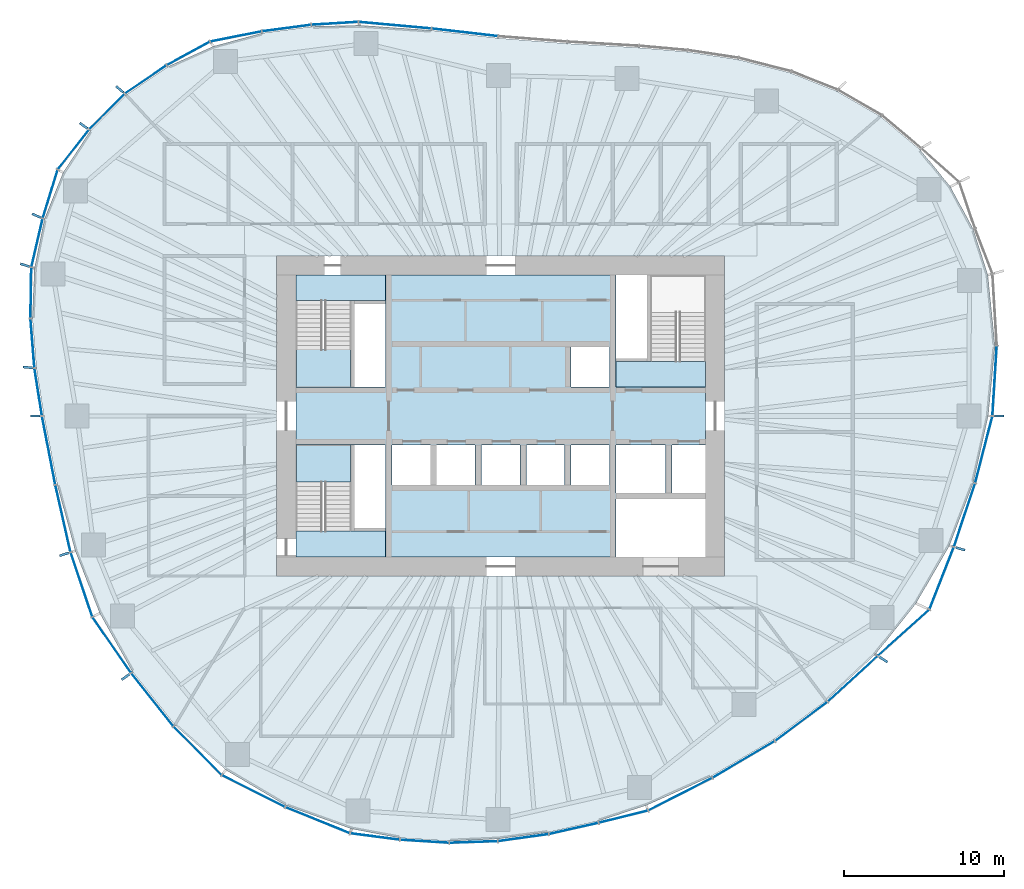
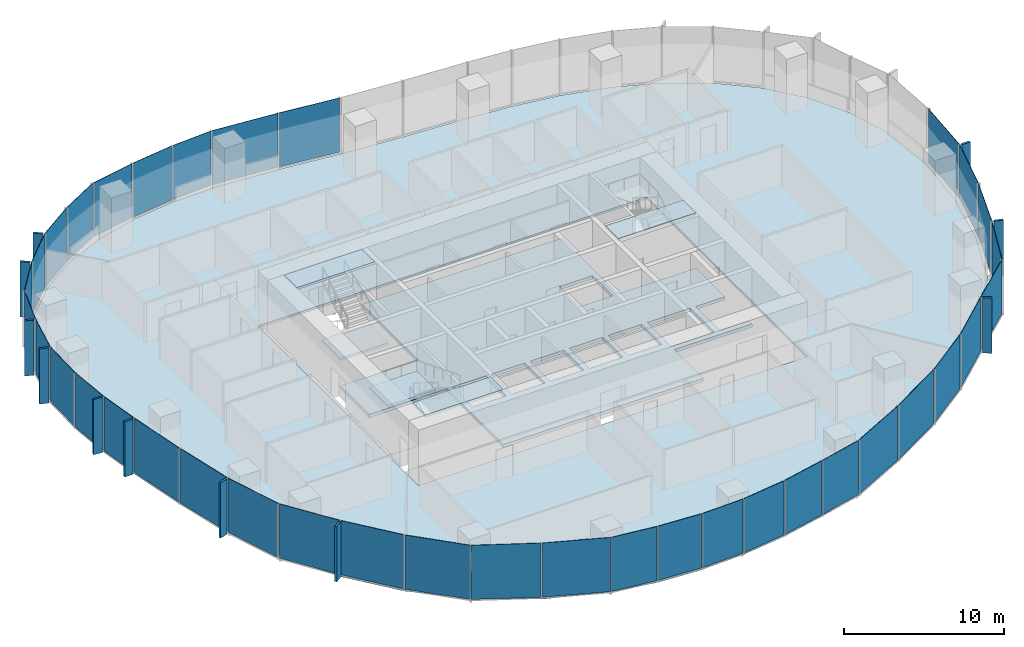
# One storey, part 7 of 18: 48 plates, 7 slabs, 19 elements without a shape of their own.
"""IFC4 building model written with IfcOpenShell, lengths in metres."""

from ifc_helpers import new_model, si_unit, direction, frame, origin, origin_2d, place, context, subcontext, project, spatial, polyline, rectangle, outline, extrude, material, layer, layer_set, type_object, element, aggregate, save


model = new_model("IFC4")

# Units and contexts
model_context = context("Model", 3, precision=1e-05, world=origin(), true_north=direction((0.0, 1.0)))
body_context = subcontext(model_context, "Body", "Model", "MODEL_VIEW")
ifc_project = project(units=[si_unit("LENGTHUNIT", "METRE"), si_unit("AREAUNIT", "SQUARE_METRE"), si_unit("VOLUMEUNIT", "CUBIC_METRE"), si_unit("PLANEANGLEUNIT", "RADIAN"), si_unit("MASSUNIT", "GRAM", prefix="KILO")], contexts=[model_context])

# Site, building, storey
site_placement = place(None, origin())
site = spatial("IfcSite", under=ifc_project, at=site_placement, CompositionType="ELEMENT")
building_placement = place(site_placement, origin())
building = spatial("IfcBuilding", under=site, at=building_placement, Name="Ghaith Harvest Tower", CompositionType="ELEMENT")
storey_placement = place(building_placement, frame((0.0, 0.0, 134.39990234375)))
storey = spatial("IfcBuildingStorey", under=building, at=storey_placement, Name="L28", CompositionType="ELEMENT", Elevation=134.39990234375)

# Curtain wall, plate
ifc_material_1 = material(Name="Black anodised aluminium and fritted glass", Category="aluminium")
curtain_wall_type = type_object("IfcCurtainWallType", Name="CW-L CURTAIN WALL", PredefinedType="NOTDEFINED", material=ifc_material_1)
curtain_wall_1_placement = place(storey_placement, origin())
curtain_wall_1 = element("IfcCurtainWall", 1, at=curtain_wall_1_placement, inside=storey, type_object=curtain_wall_type, Name="Curtain wall CW-L bay 01 L28", PredefinedType="NOTDEFINED")
ifc_material_2 = material(Name="Glass, dark solar-control fritted double glazed unit", Category="glass")
ifc_layer_1 = layer(ifc_material_2, 0.031982421875)
ifc_layer_set_1 = layer_set([ifc_layer_1], Name="CW-L VISION PANEL")
plate_type_1 = type_object("IfcPlateType", Name="CW-L VISION PANEL", PredefinedType="CURTAIN_PANEL", material=ifc_layer_set_1)
plate_1_placement = place(storey_placement, frame((30.86376953125, 2.19482421875, 0.080078125), z_axis=(0.0, 0.0, 1.0), x_axis=(0.061379619468, 0.99811449359, 0.0)))
plate_1 = element("IfcPlate", 2, at=plate_1_placement, type_object=plate_type_1, Name="CW-L glass unit 1 bay 01 L28", PredefinedType="CURTAIN_PANEL", context=body_context, shape_type="SweptSolid", body=[
    extrude(rectangle(XDim=4.318115234375, YDim=0.031982421875, at=origin_2d()), origin(), (0.0, 0.0, 1.0), 4.1201171875),
])
aggregate(curtain_wall_1, [plate_1])

# Curtain wall, plates
curtain_wall_2_placement = place(storey_placement, origin())
curtain_wall_2 = element("IfcCurtainWall", 3, at=curtain_wall_2_placement, inside=storey, type_object=curtain_wall_type, Name="Curtain wall CW-L bay 06 L28", PredefinedType="NOTDEFINED")
plate_2_placement = place(storey_placement, frame((-2.24267578125, 23.968505859375, 0.080078125), z_axis=(0.0, 0.0, 1.0), x_axis=(-0.993477024646, 0.114032458099, 0.0)))
plate_2 = element("IfcPlate", 4, at=plate_2_placement, type_object=plate_type_1, Name="CW-L glass unit 1 bay 06 L28", PredefinedType="CURTAIN_PANEL", context=body_context, shape_type="SweptSolid", body=[
    extrude(rectangle(XDim=4.10791015625, YDim=0.031982421875, at=origin_2d()), origin(), (0.0, 0.0, 1.0), 4.1201171875),
])
plate_3_placement = place(storey_placement, frame((-6.607666015625, 24.4140625, 0.080078125), z_axis=(0.0, 0.0, 1.0), x_axis=(-0.995928776302, 0.090143621701, 0.0)))
plate_3 = element("IfcPlate", 5, at=plate_3_placement, type_object=plate_type_1, Name="CW-L glass unit 2 bay 06 L28", PredefinedType="CURTAIN_PANEL", context=body_context, shape_type="SweptSolid", body=[
    extrude(rectangle(XDim=4.508056640625, YDim=0.031982421875, at=origin_2d()), origin(), (0.0, 0.0, 1.0), 4.1201171875),
])
aggregate(curtain_wall_2, [plate_2, plate_3])

curtain_wall_3_placement = place(storey_placement, origin())
curtain_wall_3 = element("IfcCurtainWall", 6, at=curtain_wall_3_placement, inside=storey, type_object=curtain_wall_type, Name="Curtain wall CW-L bay 07 L28", PredefinedType="NOTDEFINED")
plate_4_placement = place(storey_placement, frame((-10.36669921875, 24.5302734375, 0.080078125), z_axis=(0.0, 0.0, 1.0), x_axis=(-0.998119199641, -0.061303044853, 0.0)))
plate_4 = element("IfcPlate", 7, at=plate_4_placement, type_object=plate_type_1, Name="CW-L glass unit 1 bay 07 L28", PredefinedType="CURTAIN_PANEL", context=body_context, shape_type="SweptSolid", body=[
    extrude(rectangle(XDim=2.874267578125, YDim=0.031982421875, at=origin_2d()), origin(), (0.0, 0.0, 1.0), 4.1201171875),
])
plate_5_placement = place(storey_placement, frame((-13.382568359375, 24.23486328125, 0.080078125), z_axis=(0.0, 0.0, 1.0), x_axis=(-0.991285895369, -0.131728029071, 0.0)))
plate_5 = element("IfcPlate", 8, at=plate_5_placement, type_object=plate_type_1, Name="CW-L glass unit 2 bay 07 L28", PredefinedType="CURTAIN_PANEL", context=body_context, shape_type="SweptSolid", body=[
    extrude(rectangle(XDim=3.02978515625, YDim=0.031982421875, at=origin_2d()), origin(), (0.0, 0.0, 1.0), 4.1201171875),
])
plate_6_placement = place(storey_placement, frame((-16.54443359375, 23.7099609375, 0.080078125), z_axis=(0.0, 0.0, 1.0), x_axis=(-0.981037550101, -0.193817763096, 0.0)))
plate_6 = element("IfcPlate", 9, at=plate_6_placement, type_object=plate_type_1, Name="CW-L glass unit 3 bay 07 L28", PredefinedType="CURTAIN_PANEL", context=body_context, shape_type="SweptSolid", body=[
    extrude(rectangle(XDim=3.22412109375, YDim=0.031982421875, at=origin_2d()), origin(), (0.0, 0.0, 1.0), 4.1201171875),
])
aggregate(curtain_wall_3, [plate_4, plate_5, plate_6])

curtain_wall_4_placement = place(storey_placement, origin())
curtain_wall_4 = element("IfcCurtainWall", 10, at=curtain_wall_4_placement, inside=storey, type_object=curtain_wall_type, Name="Curtain wall CW-L bay 08 L28", PredefinedType="NOTDEFINED")
plate_7_placement = place(storey_placement, frame((-19.520263671875, 22.650634765625, 0.080078125), z_axis=(0.0, 0.0, 1.0), x_axis=(-0.877940384665, -0.478769966659, 0.0)))
plate_7 = element("IfcPlate", 11, at=plate_7_placement, type_object=plate_type_1, Name="CW-L glass unit 1 bay 08 L28", PredefinedType="CURTAIN_PANEL", context=body_context, shape_type="SweptSolid", body=[
    extrude(rectangle(XDim=3.007080078125, YDim=0.031982421875, at=origin_2d()), origin(), (0.0, 0.0, 1.0), 4.1201171875),
])
plate_8_placement = place(storey_placement, frame((-22.182373046875, 21.025390625, 0.080078125), z_axis=(0.0, 0.0, 1.0), x_axis=(-0.827674847773, -0.561207935051, 0.0)))
plate_8 = element("IfcPlate", 12, at=plate_8_placement, type_object=plate_type_1, Name="CW-L glass unit 2 bay 08 L28", PredefinedType="CURTAIN_PANEL", context=body_context, shape_type="SweptSolid", body=[
    extrude(rectangle(XDim=3.078369140625, YDim=0.031982421875, at=origin_2d()), origin(), (0.0, 0.0, 1.0), 4.1201171875),
])
plate_9_placement = place(storey_placement, frame((-24.603759765625, 19.01708984375, 0.080078125), z_axis=(0.0, 0.0, 1.0), x_axis=(-0.704613943896, -0.709590861037, 0.0)))
plate_9 = element("IfcPlate", 13, at=plate_9_placement, type_object=plate_type_1, Name="CW-L glass unit 3 bay 08 L28", PredefinedType="CURTAIN_PANEL", context=body_context, shape_type="SweptSolid", body=[
    extrude(rectangle(XDim=3.0830078125, YDim=0.031982421875, at=origin_2d()), origin(), (0.0, 0.0, 1.0), 4.1201171875),
])
aggregate(curtain_wall_4, [plate_7, plate_8, plate_9])

curtain_wall_5_placement = place(storey_placement, origin())
curtain_wall_5 = element("IfcCurtainWall", 14, at=curtain_wall_5_placement, inside=storey, type_object=curtain_wall_type, Name="Curtain wall CW-L bay 09 L28", PredefinedType="NOTDEFINED")
plate_10_placement = place(storey_placement, frame((-26.69873046875, 16.644775390625, 0.080078125), z_axis=(0.0, 0.0, 1.0), x_axis=(-0.617140806324, -0.786852734106, 0.0)))
plate_10 = element("IfcPlate", 15, at=plate_10_placement, type_object=plate_type_1, Name="CW-L glass unit 1 bay 09 L28", PredefinedType="CURTAIN_PANEL", context=body_context, shape_type="SweptSolid", body=[
    extrude(rectangle(XDim=3.09765625, YDim=0.031982421875, at=origin_2d()), origin(), (0.0, 0.0, 1.0), 4.1201171875),
])
plate_11_placement = place(storey_placement, frame((-28.14794921875, 13.869140625, 0.080078125), z_axis=(0.0, 0.0, 1.0), x_axis=(-0.293802674087, -0.955866093498, 0.0)))
plate_11 = element("IfcPlate", 16, at=plate_11_placement, type_object=plate_type_1, Name="CW-L glass unit 2 bay 09 L28", PredefinedType="CURTAIN_PANEL", context=body_context, shape_type="SweptSolid", body=[
    extrude(rectangle(XDim=3.111328125, YDim=0.031982421875, at=origin_2d()), origin(), (0.0, 0.0, 1.0), 4.1201171875),
])
plate_12_placement = place(storey_placement, frame((-28.9716796875, 10.819091796875, 0.080078125), z_axis=(0.0, 0.0, 1.0), x_axis=(-0.226698962458, -0.973964876379, 0.0)))
plate_12 = element("IfcPlate", 17, at=plate_12_placement, type_object=plate_type_1, Name="CW-L glass unit 3 bay 09 L28", PredefinedType="CURTAIN_PANEL", context=body_context, shape_type="SweptSolid", body=[
    extrude(rectangle(XDim=3.05126953125, YDim=0.031982421875, at=origin_2d()), origin(), (0.0, 0.0, 1.0), 4.1201171875),
])
aggregate(curtain_wall_5, [plate_10, plate_11, plate_12])

curtain_wall_6_placement = place(storey_placement, origin())
curtain_wall_6 = element("IfcCurtainWall", 18, at=curtain_wall_6_placement, inside=storey, type_object=curtain_wall_type, Name="Curtain wall CW-L bay 10 L28", PredefinedType="NOTDEFINED")
plate_13_placement = place(storey_placement, frame((-29.352294921875, 7.695068359375, 0.080078125), z_axis=(0.0, 0.0, 1.0), x_axis=(-0.016034106433, -0.999871445452, 0.0)))
plate_13 = element("IfcPlate", 19, at=plate_13_placement, type_object=plate_type_1, Name="CW-L glass unit 1 bay 10 L28", PredefinedType="CURTAIN_PANEL", context=body_context, shape_type="SweptSolid", body=[
    extrude(rectangle(XDim=3.118408203125, YDim=0.031982421875, at=origin_2d()), origin(), (0.0, 0.0, 1.0), 4.1201171875),
])
plate_14_placement = place(storey_placement, frame((-29.25439453125, 4.54345703125, 0.080078125), z_axis=(0.0, 0.0, 1.0), x_axis=(0.079273335663, -0.996852917061, 0.0)))
plate_14 = element("IfcPlate", 20, at=plate_14_placement, type_object=plate_type_1, Name="CW-L glass unit 2 bay 10 L28", PredefinedType="CURTAIN_PANEL", context=body_context, shape_type="SweptSolid", body=[
    extrude(rectangle(XDim=3.035400390625, YDim=0.031982421875, at=origin_2d()), origin(), (0.0, 0.0, 1.0), 4.1201171875),
])
plate_15_placement = place(storey_placement, frame((-28.896240234375, 1.495361328125, 0.080078125), z_axis=(0.0, 0.0, 1.0), x_axis=(0.155172175389, -0.987887440949, 0.0)))
plate_15 = element("IfcPlate", 21, at=plate_15_placement, type_object=plate_type_1, Name="CW-L glass unit 3 bay 10 L28", PredefinedType="CURTAIN_PANEL", context=body_context, shape_type="SweptSolid", body=[
    extrude(rectangle(XDim=2.947265625, YDim=0.031982421875, at=origin_2d()), origin(), (0.0, 0.0, 1.0), 4.1201171875),
])
aggregate(curtain_wall_6, [plate_13, plate_14, plate_15])

curtain_wall_7_placement = place(storey_placement, origin())
curtain_wall_7 = element("IfcCurtainWall", 22, at=curtain_wall_7_placement, inside=storey, type_object=curtain_wall_type, Name="Curtain wall CW-L bay 11 L28", PredefinedType="NOTDEFINED")
plate_16_placement = place(storey_placement, frame((-28.24462890625, -2.152099609375, 0.080078125), z_axis=(0.0, 0.0, 1.0), x_axis=(0.190044913274, -0.981775397399, 0.0)))
plate_16 = element("IfcPlate", 23, at=plate_16_placement, type_object=plate_type_1, Name="CW-L glass unit 1 bay 11 L28", PredefinedType="CURTAIN_PANEL", context=body_context, shape_type="SweptSolid", body=[
    extrude(rectangle(XDim=4.303955078125, YDim=0.031982421875, at=origin_2d()), origin(), (0.0, 0.0, 1.0), 4.1201171875),
])
plate_17_placement = place(storey_placement, frame((-27.351806640625, -6.41064453125, 0.080078125), z_axis=(0.0, 0.0, 1.0), x_axis=(0.220483469245, -0.975390711351, 0.0)))
plate_17 = element("IfcPlate", 24, at=plate_17_placement, type_object=plate_type_1, Name="CW-L glass unit 2 bay 11 L28", PredefinedType="CURTAIN_PANEL", context=body_context, shape_type="SweptSolid", body=[
    extrude(rectangle(XDim=4.239501953125, YDim=0.031982421875, at=origin_2d()), origin(), (0.0, 0.0, 1.0), 4.1201171875),
])
aggregate(curtain_wall_7, [plate_16, plate_17])

curtain_wall_8_placement = place(storey_placement, origin())
curtain_wall_8 = element("IfcCurtainWall", 25, at=curtain_wall_8_placement, inside=storey, type_object=curtain_wall_type, Name="Curtain wall CW-L bay 12 L28", PredefinedType="NOTDEFINED")
plate_18_placement = place(storey_placement, frame((-26.194580078125, -10.537841796875, 0.080078125), z_axis=(0.0, 0.0, 1.0), x_axis=(0.319477383729, -0.947593901039, 0.0)))
plate_18 = element("IfcPlate", 26, at=plate_18_placement, type_object=plate_type_1, Name="CW-L glass unit 1 bay 12 L28", PredefinedType="CURTAIN_PANEL", context=body_context, shape_type="SweptSolid", body=[
    extrude(rectangle(XDim=4.184326171875, YDim=0.031982421875, at=origin_2d()), origin(), (0.0, 0.0, 1.0), 4.1201171875),
])
plate_19_placement = place(storey_placement, frame((-24.3017578125, -14.312255859375, 0.080078125), z_axis=(0.0, 0.0, 1.0), x_axis=(0.568347699633, -0.822788485774, 0.0)))
plate_19 = element("IfcPlate", 27, at=plate_19_placement, type_object=plate_type_1, Name="CW-L glass unit 2 bay 12 L28", PredefinedType="CURTAIN_PANEL", context=body_context, shape_type="SweptSolid", body=[
    extrude(rectangle(XDim=4.18359375, YDim=0.031982421875, at=origin_2d()), origin(), (0.0, 0.0, 1.0), 4.1201171875),
])
aggregate(curtain_wall_8, [plate_18, plate_19])

curtain_wall_9_placement = place(storey_placement, origin())
curtain_wall_9 = element("IfcCurtainWall", 28, at=curtain_wall_9_placement, inside=storey, type_object=curtain_wall_type, Name="Curtain wall CW-L bay 13 L28", PredefinedType="NOTDEFINED")
plate_20_placement = place(storey_placement, frame((-21.765625, -17.7314453125, 0.080078125), z_axis=(0.0, 0.0, 1.0), x_axis=(0.622507360482, -0.782613944513, 0.0)))
plate_20 = element("IfcPlate", 29, at=plate_20_placement, type_object=plate_type_1, Name="CW-L glass unit 1 bay 13 L28", PredefinedType="CURTAIN_PANEL", context=body_context, shape_type="SweptSolid", body=[
    extrude(rectangle(XDim=4.175537109375, YDim=0.031982421875, at=origin_2d()), origin(), (0.0, 0.0, 1.0), 4.1201171875),
])
plate_21_placement = place(storey_placement, frame((-18.935791015625, -20.920166015625, 0.080078125), z_axis=(0.0, 0.0, 1.0), x_axis=(0.702843151286, -0.711344856375, 0.0)))
plate_21 = element("IfcPlate", 30, at=plate_21_placement, type_object=plate_type_1, Name="CW-L glass unit 2 bay 13 L28", PredefinedType="CURTAIN_PANEL", context=body_context, shape_type="SweptSolid", body=[
    extrude(rectangle(XDim=4.203369140625, YDim=0.031982421875, at=origin_2d()), origin(), (0.0, 0.0, 1.0), 4.1201171875),
])
aggregate(curtain_wall_9, [plate_20, plate_21])

curtain_wall_10_placement = place(storey_placement, origin())
curtain_wall_10 = element("IfcCurtainWall", 31, at=curtain_wall_10_placement, inside=storey, type_object=curtain_wall_type, Name="Curtain wall CW-L bay 14 L28", PredefinedType="NOTDEFINED")
plate_22_placement = place(storey_placement, frame((-15.44677734375, -23.443115234375, 0.080078125), z_axis=(0.0, 0.0, 1.0), x_axis=(0.893062297869, -0.449933030712, 0.0)))
plate_22 = element("IfcPlate", 32, at=plate_22_placement, type_object=plate_type_1, Name="CW-L glass unit 1 bay 14 L28", PredefinedType="CURTAIN_PANEL", context=body_context, shape_type="SweptSolid", body=[
    extrude(rectangle(XDim=4.362548828125, YDim=0.031982421875, at=origin_2d()), origin(), (0.0, 0.0, 1.0), 4.1201171875),
])
plate_23_placement = place(storey_placement, frame((-11.441162109375, -25.260498046875, 0.080078125), z_axis=(0.0, 0.0, 1.0), x_axis=(0.927002522537, -0.375055093567, 0.0)))
plate_23 = element("IfcPlate", 33, at=plate_23_placement, type_object=plate_type_1, Name="CW-L glass unit 2 bay 14 L28", PredefinedType="CURTAIN_PANEL", context=body_context, shape_type="SweptSolid", body=[
    extrude(rectangle(XDim=4.282470703125, YDim=0.031982421875, at=origin_2d()), origin(), (0.0, 0.0, 1.0), 4.1201171875),
])
aggregate(curtain_wall_10, [plate_22, plate_23])

curtain_wall_11_placement = place(storey_placement, origin())
curtain_wall_11 = element("IfcCurtainWall", 34, at=curtain_wall_11_placement, inside=storey, type_object=curtain_wall_type, Name="Curtain wall CW-L bay 15 L28", PredefinedType="NOTDEFINED")
plate_24_placement = place(storey_placement, frame((-7.856689453125, -26.281005859375, 0.080078125), z_axis=(0.0, 0.0, 1.0), x_axis=(0.99172348392, -0.128392100386, 0.0)))
plate_24 = element("IfcPlate", 35, at=plate_24_placement, type_object=plate_type_1, Name="CW-L glass unit 1 bay 15 L28", PredefinedType="CURTAIN_PANEL", context=body_context, shape_type="SweptSolid", body=[
    extrude(rectangle(XDim=3.07080078125, YDim=0.031982421875, at=origin_2d()), origin(), (0.0, 0.0, 1.0), 4.1201171875),
])
plate_25_placement = place(storey_placement, frame((-4.7568359375, -26.57958984375, 0.080078125), z_axis=(0.0, 0.0, 1.0), x_axis=(0.998038280843, -0.062606628824, 0.0)))
plate_25 = element("IfcPlate", 36, at=plate_25_placement, type_object=plate_type_1, Name="CW-L glass unit 2 bay 15 L28", PredefinedType="CURTAIN_PANEL", context=body_context, shape_type="SweptSolid", body=[
    extrude(rectangle(XDim=3.001220703125, YDim=0.031982421875, at=origin_2d()), origin(), (0.0, 0.0, 1.0), 4.1201171875),
])
plate_26_placement = place(storey_placement, frame((-1.700439453125, -26.624755859375, 0.080078125), z_axis=(0.0, 0.0, 1.0), x_axis=(0.999431515426, 0.033714180603, 0.0)))
plate_26 = element("IfcPlate", 37, at=plate_26_placement, type_object=plate_type_1, Name="CW-L glass unit 3 bay 15 L28", PredefinedType="CURTAIN_PANEL", context=body_context, shape_type="SweptSolid", body=[
    extrude(rectangle(XDim=2.958984375, YDim=0.031982421875, at=origin_2d()), origin(), (0.0, 0.0, 1.0), 4.1201171875),
])
aggregate(curtain_wall_11, [plate_24, plate_25, plate_26])

curtain_wall_12_placement = place(storey_placement, origin())
curtain_wall_12 = element("IfcCurtainWall", 38, at=curtain_wall_12_placement, inside=storey, type_object=curtain_wall_type, Name="Curtain wall CW-L bay 16 L28", PredefinedType="NOTDEFINED")
plate_27_placement = place(storey_placement, frame((1.4140625, -26.3515625, 0.080078125), z_axis=(0.0, 0.0, 1.0), x_axis=(0.990448098003, 0.137886058621, 0.0)))
plate_27 = element("IfcPlate", 39, at=plate_27_placement, type_object=plate_type_1, Name="CW-L glass unit 1 bay 16 L28", PredefinedType="CURTAIN_PANEL", context=body_context, shape_type="SweptSolid", body=[
    extrude(rectangle(XDim=3.142578125, YDim=0.031982421875, at=origin_2d()), origin(), (0.0, 0.0, 1.0), 4.1201171875),
])
plate_28_placement = place(storey_placement, frame((4.565185546875, -25.77734375, 0.080078125), z_axis=(0.0, 0.0, 1.0), x_axis=(0.975341754172, 0.220699937852, 0.0)))
plate_28 = element("IfcPlate", 40, at=plate_28_placement, type_object=plate_type_1, Name="CW-L glass unit 2 bay 16 L28", PredefinedType="CURTAIN_PANEL", context=body_context, shape_type="SweptSolid", body=[
    extrude(rectangle(XDim=3.10888671875, YDim=0.031982421875, at=origin_2d()), origin(), (0.0, 0.0, 1.0), 4.1201171875),
])
plate_29_placement = place(storey_placement, frame((7.66845703125, -25.0400390625, 0.080078125), z_axis=(0.0, 0.0, 1.0), x_axis=(0.970384283801, 0.241566433413, 0.0)))
plate_29 = element("IfcPlate", 41, at=plate_29_placement, type_object=plate_type_1, Name="CW-L glass unit 3 bay 16 L28", PredefinedType="CURTAIN_PANEL", context=body_context, shape_type="SweptSolid", body=[
    extrude(rectangle(XDim=3.111083984375, YDim=0.031982421875, at=origin_2d()), origin(), (0.0, 0.0, 1.0), 4.1201171875),
])
aggregate(curtain_wall_12, [plate_27, plate_28, plate_29])

curtain_wall_13_placement = place(storey_placement, origin())
curtain_wall_13 = element("IfcCurtainWall", 42, at=curtain_wall_13_placement, inside=storey, type_object=curtain_wall_type, Name="Curtain wall CW-L bay 17 L28", PredefinedType="NOTDEFINED")
plate_30_placement = place(storey_placement, frame((11.220703125, -23.63427734375, 0.080078125), z_axis=(0.0, 0.0, 1.0), x_axis=(0.891126766056, 0.453754434489, 0.0)))
plate_30 = element("IfcPlate", 43, at=plate_30_placement, type_object=plate_type_1, Name="CW-L glass unit 1 bay 17 L28", PredefinedType="CURTAIN_PANEL", context=body_context, shape_type="SweptSolid", body=[
    extrude(rectangle(XDim=4.417236328125, YDim=0.031982421875, at=origin_2d()), origin(), (0.0, 0.0, 1.0), 4.1201171875),
])
plate_31_placement = place(storey_placement, frame((15.17822265625, -21.46484375, 0.080078125), z_axis=(0.0, 0.0, 1.0), x_axis=(0.861979497965, 0.506943137924, 0.0)))
plate_31 = element("IfcPlate", 44, at=plate_31_placement, type_object=plate_type_1, Name="CW-L glass unit 2 bay 17 L28", PredefinedType="CURTAIN_PANEL", context=body_context, shape_type="SweptSolid", body=[
    extrude(rectangle(XDim=4.453125, YDim=0.031982421875, at=origin_2d()), origin(), (0.0, 0.0, 1.0), 4.1201171875),
])
aggregate(curtain_wall_13, [plate_30, plate_31])

curtain_wall_14_placement = place(storey_placement, origin())
curtain_wall_14 = element("IfcCurtainWall", 45, at=curtain_wall_14_placement, inside=storey, type_object=curtain_wall_type, Name="Curtain wall CW-L bay 18 L28", PredefinedType="NOTDEFINED")
plate_32_placement = place(storey_placement, frame((18.78076171875, -19.08984375, 0.080078125), z_axis=(0.0, 0.0, 1.0), x_axis=(0.802462370117, 0.596702727115, 0.0)))
plate_32 = element("IfcPlate", 46, at=plate_32_placement, type_object=plate_type_1, Name="CW-L glass unit 1 bay 18 L28", PredefinedType="CURTAIN_PANEL", context=body_context, shape_type="SweptSolid", body=[
    extrude(rectangle(XDim=4.029541015625, YDim=0.031982421875, at=origin_2d()), origin(), (0.0, 0.0, 1.0), 4.1201171875),
])
plate_33_placement = place(storey_placement, frame((21.9951171875, -16.428955078125, 0.080078125), z_axis=(0.0, 0.0, 1.0), x_axis=(0.737201663563, 0.675672781189, 0.0)))
plate_33 = element("IfcPlate", 47, at=plate_33_placement, type_object=plate_type_1, Name="CW-L glass unit 2 bay 18 L28", PredefinedType="CURTAIN_PANEL", context=body_context, shape_type="SweptSolid", body=[
    extrude(rectangle(XDim=4.1669921875, YDim=0.031982421875, at=origin_2d()), origin(), (0.0, 0.0, 1.0), 4.1201171875),
])
aggregate(curtain_wall_14, [plate_32, plate_33])

curtain_wall_15_placement = place(storey_placement, origin())
curtain_wall_15 = element("IfcCurtainWall", 48, at=curtain_wall_15_placement, inside=storey, type_object=curtain_wall_type, Name="Curtain wall CW-L bay 19 L28", PredefinedType="NOTDEFINED")
plate_34_placement = place(storey_placement, frame((25.17333984375, -13.54345703125, 0.080078125), z_axis=(0.0, 0.0, 1.0), x_axis=(0.743493028761, 0.668743684968, 0.0)))
plate_34 = element("IfcPlate", 49, at=plate_34_placement, type_object=plate_type_1, Name="CW-L glass unit 1 bay 19 L28", PredefinedType="CURTAIN_PANEL", context=body_context, shape_type="SweptSolid", body=[
    extrude(rectangle(XDim=4.2587890625, YDim=0.031982421875, at=origin_2d()), origin(), (0.0, 0.0, 1.0), 4.1201171875),
])
plate_35_placement = place(storey_placement, frame((27.552978515625, -10.138916015625, 0.080078125), z_axis=(0.0, 0.0, 1.0), x_axis=(0.365226458984, 0.930918704108, 0.0)))
plate_35 = element("IfcPlate", 50, at=plate_35_placement, type_object=plate_type_1, Name="CW-L glass unit 2 bay 19 L28", PredefinedType="CURTAIN_PANEL", context=body_context, shape_type="SweptSolid", body=[
    extrude(rectangle(XDim=4.11767578125, YDim=0.031982421875, at=origin_2d()), origin(), (0.0, 0.0, 1.0), 4.1201171875),
])
aggregate(curtain_wall_15, [plate_34, plate_35])

curtain_wall_16_placement = place(storey_placement, origin())
curtain_wall_16 = element("IfcCurtainWall", 51, at=curtain_wall_16_placement, inside=storey, type_object=curtain_wall_type, Name="Curtain wall CW-L bay 20 L28", PredefinedType="NOTDEFINED")
plate_36_placement = place(storey_placement, frame((28.982666015625, -6.191650390625, 0.080078125), z_axis=(0.0, 0.0, 1.0), x_axis=(0.315708038084, 0.948856382541, 0.0)))
plate_36 = element("IfcPlate", 52, at=plate_36_placement, type_object=plate_type_1, Name="CW-L glass unit 1 bay 20 L28", PredefinedType="CURTAIN_PANEL", context=body_context, shape_type="SweptSolid", body=[
    extrude(rectangle(XDim=4.12158203125, YDim=0.031982421875, at=origin_2d()), origin(), (0.0, 0.0, 1.0), 4.1201171875),
])
plate_37_placement = place(storey_placement, frame((30.187255859375, -2.09912109375, 0.080078125), z_axis=(0.0, 0.0, 1.0), x_axis=(0.24974411022, 0.968311870944, 0.0)))
plate_37 = element("IfcPlate", 53, at=plate_37_placement, type_object=plate_type_1, Name="CW-L glass unit 2 bay 20 L28", PredefinedType="CURTAIN_PANEL", context=body_context, shape_type="SweptSolid", body=[
    extrude(rectangle(XDim=4.255615234375, YDim=0.031982421875, at=origin_2d()), origin(), (0.0, 0.0, 1.0), 4.1201171875),
])
aggregate(curtain_wall_16, [plate_36, plate_37])

# Slabs
ifc_material_3 = material(Name="Concrete C40/50", Category="concrete")
ifc_layer_2 = layer(ifc_material_3, 0.169921875)
ifc_layer_set_2 = layer_set([ifc_layer_2], Name="FLOOR SLAB 170")
slab_type_1 = type_object("IfcSlabType", Name="FLOOR SLAB 170", PredefinedType="FLOOR", material=ifc_layer_set_2)
slab_1_placement = place(storey_placement, frame((0.0, 0.0, -0.169921875)))
element("IfcSlab", 54, at=slab_1_placement, inside=storey, type_object=slab_type_1, Name="Floor slab L28", PredefinedType="FLOOR", context=body_context, shape_type="SweptSolid", body=[
    extrude(outline(polyline([(30.458740234375, 0.0), (30.8798828125, 4.373046875), (30.439208984375, 8.797607421875), (29.52294921875, 11.671875), (28.0888671875, 14.32568359375), (26.179443359375, 16.660888671875), (23.7275390625, 18.718017578125), (20.97998046875, 20.3056640625), (18.0849609375, 21.4462890625), (14.79833984375, 22.27978515625), (11.617919921875, 22.757080078125), (8.604736328125, 23.017333984375), (4.125732421875, 23.272705078125), (-0.16162109375, 23.609619140625), (-4.302001953125, 24.089111328125), (-8.814208984375, 24.404541015625), (-11.788818359375, 24.331787109375), (-14.860595703125, 23.927978515625), (-17.938232421875, 23.097412109375), (-20.79248046875, 21.82470703125), (-23.398193359375, 20.06103515625), (-25.61962890625, 17.826416015625), (-27.33837890625, 15.204833984375), (-28.506591796875, 12.29638671875), (-29.12646484375, 9.230712890625), (-29.260498046875, 6.07177734375), (-29.01171875, 2.978271484375), (-28.541259765625, 0.0), (-27.70947265625, -4.285888671875), (-26.580078125, -8.423583984375), (-25.046875, -12.32861328125), (-22.99169921875, -15.997802734375), (-20.35400390625, -19.31396484375), (-17.1728515625, -22.11181640625), (-13.4052734375, -24.33740234375), (-9.317138671875, -25.79638671875), (-6.2666015625, -26.366455078125), (-3.204833984375, -26.556884765625), (-0.180908203125, -26.423583984375), (2.99609375, -26.010009765625), (6.09228515625, -25.308837890625), (9.09423828125, -24.326904296875), (13.163818359375, -22.510498046875), (17.054443359375, -20.22412109375), (20.33935546875, -17.784912109375), (23.400390625, -14.89208984375), (25.94775390625, -11.714111328125), (28.03125, -8.1015625), (29.527099609375, -4.181396484375), (30.458740234375, 0.0)]), holes=[polyline([(-14.0, -10.0), (14.0, -10.0), (14.0, 10.0), (-14.0, 10.0), (-14.0, -10.0)])]), origin(), (0.0, 0.0, 1.0), 0.169921875),
])
ifc_material_4 = material(Name="Concrete C40/50", Category="concrete")
ifc_layer_3 = layer(ifc_material_4, 0.25)
ifc_layer_set_3 = layer_set([ifc_layer_3], Name="FLOOR SLAB 250")
slab_type_2 = type_object("IfcSlabType", Name="FLOOR SLAB 250", PredefinedType="FLOOR", material=ifc_layer_set_3)
slab_2_placement = place(storey_placement, frame((0.0, 0.0, -0.25)))
element("IfcSlab", 55, at=slab_2_placement, inside=storey, type_object=slab_type_2, Name="Core slab L28", PredefinedType="FLOOR", context=body_context, shape_type="SweptSolid", body=[
    extrude(outline(polyline([(-12.800048828125, 1.800048828125), (-7.199951171875, 1.800048828125), (-7.199951171875, 8.800048828125), (7.199951171875, 8.800048828125), (7.199951171875, 1.800048828125), (12.800048828125, 1.800048828125), (12.800048828125, -1.800048828125), (10.699951171875, -1.800048828125), (10.699951171875, -4.800048828125), (12.800048828125, -4.800048828125), (12.800048828125, -5.199951171875), (7.199951171875, -5.199951171875), (7.199951171875, -8.800048828125), (-7.199951171875, -8.800048828125), (-7.199951171875, -1.800048828125), (-12.800048828125, -1.800048828125), (-12.800048828125, 1.800048828125)]), holes=[polyline([(-4.39990234375, -4.300048828125), (-4.39990234375, -1.800048828125), (-6.800048828125, -1.800048828125), (-6.800048828125, -4.300048828125), (-4.39990234375, -4.300048828125)]), polyline([(-1.60009765625, -4.300048828125), (-1.60009765625, -1.800048828125), (-4.0, -1.800048828125), (-4.0, -4.300048828125), (-1.60009765625, -4.300048828125)]), polyline([(1.199951171875, -1.800048828125), (-1.199951171875, -1.800048828125), (-1.199951171875, -4.300048828125), (1.199951171875, -4.300048828125), (1.199951171875, -1.800048828125)]), polyline([(4.0, -4.300048828125), (4.0, -1.800048828125), (1.60009765625, -1.800048828125), (1.60009765625, -4.300048828125), (4.0, -4.300048828125)]), polyline([(10.300048828125, -4.800048828125), (10.300048828125, -1.800048828125), (7.199951171875, -1.800048828125), (7.199951171875, -4.800048828125), (10.300048828125, -4.800048828125)]), polyline([(6.800048828125, -1.800048828125), (4.39990234375, -1.800048828125), (4.39990234375, -4.300048828125), (6.800048828125, -4.300048828125), (6.800048828125, -1.800048828125)]), polyline([(6.800048828125, 1.800048828125), (6.800048828125, 4.300048828125), (4.39990234375, 4.300048828125), (4.39990234375, 1.800048828125), (6.800048828125, 1.800048828125)])]), origin(), (0.0, 0.0, 1.0), 0.25),
])

# Stair, slabs
ifc_material_5 = material(Name="Concrete C40/50, precast", Category="concrete")
stair_type = type_object("IfcStairType", Name="CORE STAIR 24R", PredefinedType="HALF_TURN_STAIR", material=ifc_material_5)
stair_1_placement = place(storey_placement, origin())
stair_1 = element("IfcStair", 56, at=stair_1_placement, inside=storey, type_object=stair_type, Name="Stair ST1 L28", PredefinedType="HALF_TURN_STAIR")
ifc_material_6 = material(Name="Concrete C40/50, precast", Category="concrete")
ifc_layer_4 = layer(ifc_material_6, 0.179931640625)
ifc_layer_set_4 = layer_set([ifc_layer_4], Name="STAIR LANDING 180")
slab_type_3 = type_object("IfcSlabType", Name="STAIR LANDING 180", PredefinedType="LANDING", material=ifc_layer_set_4)
slab_3_placement = place(storey_placement, frame((0.0, 0.0, 1.920166015625)))
slab_3 = element("IfcSlab", 57, at=slab_3_placement, type_object=slab_type_3, Name="ST1 landing 1", PredefinedType="LANDING", context=body_context, shape_type="SweptSolid", body=[
    extrude(outline(polyline([(-12.800048828125, 4.139892578125), (-12.800048828125, 1.77490234375), (-9.35009765625, 1.77490234375), (-9.35009765625, 4.139892578125), (-12.800048828125, 4.139892578125)])), origin(), (0.0, 0.0, 1.0), 0.179931640625),
])
slab_4_placement = place(storey_placement, frame((0.0, 0.0, 4.02001953125)))
slab_4 = element("IfcSlab", 58, at=slab_4_placement, type_object=slab_type_3, Name="ST1 landing 2", PredefinedType="LANDING", context=body_context, shape_type="SweptSolid", body=[
    extrude(outline(polyline([(-12.800048828125, 8.800048828125), (-12.800048828125, 7.199951171875), (-7.199951171875, 7.199951171875), (-7.199951171875, 8.800048828125), (-12.800048828125, 8.800048828125)])), origin(), (0.0, 0.0, 1.0), 0.18017578125),
])
aggregate(stair_1, [slab_3, slab_4])

stair_2_placement = place(storey_placement, origin())
stair_2 = element("IfcStair", 59, at=stair_2_placement, inside=storey, type_object=stair_type, Name="Stair ST3 L28", PredefinedType="HALF_TURN_STAIR")
slab_5_placement = place(storey_placement, frame((0.0, 0.0, 1.920166015625)))
slab_5 = element("IfcSlab", 60, at=slab_5_placement, type_object=slab_type_3, Name="ST3 landing 1", PredefinedType="LANDING", context=body_context, shape_type="SweptSolid", body=[
    extrude(outline(polyline([(-12.800048828125, -4.139892578125), (-12.800048828125, -1.77490234375), (-9.35009765625, -1.77490234375), (-9.35009765625, -4.139892578125), (-12.800048828125, -4.139892578125)])), origin(), (0.0, 0.0, 1.0), 0.179931640625),
])
slab_6_placement = place(storey_placement, frame((0.0, 0.0, 4.02001953125)))
slab_6 = element("IfcSlab", 61, at=slab_6_placement, type_object=slab_type_3, Name="ST3 landing 2", PredefinedType="LANDING", context=body_context, shape_type="SweptSolid", body=[
    extrude(outline(polyline([(-12.800048828125, -8.800048828125), (-12.800048828125, -7.199951171875), (-7.199951171875, -7.199951171875), (-7.199951171875, -8.800048828125), (-12.800048828125, -8.800048828125)])), origin(), (0.0, 0.0, 1.0), 0.18017578125),
])
aggregate(stair_2, [slab_5, slab_6])

# Stair, slab
stair_3_placement = place(storey_placement, origin())
stair_3 = element("IfcStair", 62, at=stair_3_placement, inside=storey, type_object=stair_type, Name="Stair ST2 L28", PredefinedType="HALF_TURN_STAIR")
slab_7_placement = place(storey_placement, frame((0.0, 0.0, 4.02001953125)))
slab_7 = element("IfcSlab", 63, at=slab_7_placement, type_object=slab_type_3, Name="ST2 landing 2", PredefinedType="LANDING", context=body_context, shape_type="SweptSolid", body=[
    extrude(outline(polyline([(12.800048828125, 1.800048828125), (12.800048828125, 3.39990234375), (7.199951171875, 3.39990234375), (7.199951171875, 1.800048828125), (12.800048828125, 1.800048828125)])), origin(), (0.0, 0.0, 1.0), 0.18017578125),
])
aggregate(stair_3, [slab_7])

# Plates
ifc_material_7 = material(Name="Glassfibre-reinforced concrete", Category="concrete")
ifc_layer_5 = layer(ifc_material_7, 0.14990234375)
ifc_layer_set_5 = layer_set([ifc_layer_5], Name="SUN-BREAKER FIN 600x150")
plate_type_2 = type_object("IfcPlateType", Name="SUN-BREAKER FIN 600x150", PredefinedType="USERDEFINED", material=ifc_layer_set_5)
for number, where, z_axis, x_axis, name in (
    (64, (31.148681640625, 0.0, 0.0), (0.0, 0.0, 1.0), (1.0, 0.0, 0.0), "Sun-breaker fin CW-L 1 bay 01 L28"),
    (65, (-23.808349609375, 20.41259765625, 0.0), (0.0, 0.0, 1.0), (-0.759169742643, 0.650892696115, 0.0), "Sun-breaker fin CW-L 3 bay 08 L28"),
    (66, (-26.06298828125, 18.134765625, 0.0), (0.0, 0.0, 1.0), (-0.820845486523, 0.571150319316, 0.0), "Sun-breaker fin CW-L 1 bay 09 L28"),
    (67, (-29.00244140625, 12.51025390625, 0.0), (0.0, 0.0, 1.0), (-0.918217993215, 0.396075392995, 0.0), "Sun-breaker fin CW-L 3 bay 09 L28"),
    (68, (-29.72705078125, 9.4208984375, 0.0), (0.0, 0.0, 1.0), (-0.953273219358, 0.302109531884, 0.0), "Sun-breaker fin CW-L 1 bay 10 L28"),
    (69, (-29.548828125, 3.033447265625, 0.0), (0.0, 0.0, 1.0), (-0.994771752973, 0.102123256344, 0.0), "Sun-breaker fin CW-L 3 bay 10 L28"),
    (70, (-29.081298828125, 0.0, 0.0), (0.0, 0.0, 1.0), (-1.0, -4.19e-10, 0.0), "Sun-breaker fin CW-L 1 bay 11 L28"),
    (71, (-27.276123046875, -8.644287109375, 0.0), (0.0, 0.0, 1.0), (-0.953273219416, -0.302109531701, 0.0), "Sun-breaker fin CW-L 1 bay 12 L28"),
    (72, (-23.434814453125, -16.30615234375, 0.0), (0.0, 0.0, 1.0), (-0.820845486622, -0.571150319173, 0.0), "Sun-breaker fin CW-L 1 bay 13 L28"),
    (73, (23.914794921875, -15.2197265625, 0.0), (0.0, 0.0, 1.0), (0.84364397137, -0.536903016913, 0.0), "Sun-breaker fin CW-L 1 bay 19 L28"),
    (74, (28.722900390625, -8.301513671875, 0.0), (0.0, 0.0, 1.0), (0.960680349932, -0.277656739976, 0.0), "Sun-breaker fin CW-L 1 bay 20 L28"),
):
    element("IfcPlate", number, at=place(storey_placement, frame(where, z_axis=z_axis, x_axis=x_axis)), inside=storey, type_object=plate_type_2, Name=name, ObjectType="SUN-BREAKER FIN", PredefinedType="USERDEFINED", context=body_context, shape_type="SweptSolid", body=[
        extrude(rectangle(XDim=0.60009765625, YDim=0.14990234375, at=origin_2d()), origin(), (0.0, 0.0, 1.0), 4.199951171875),
    ])

save(model, "model.ifc")
